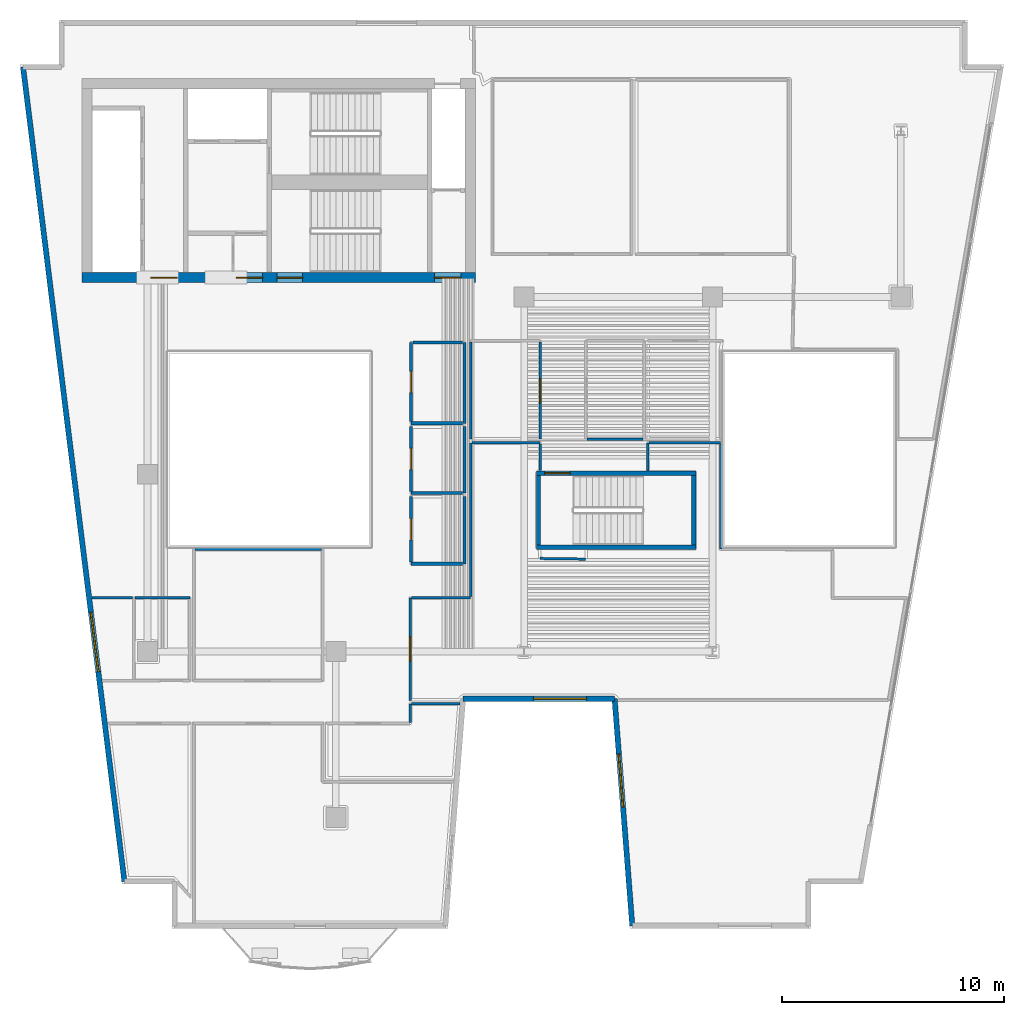
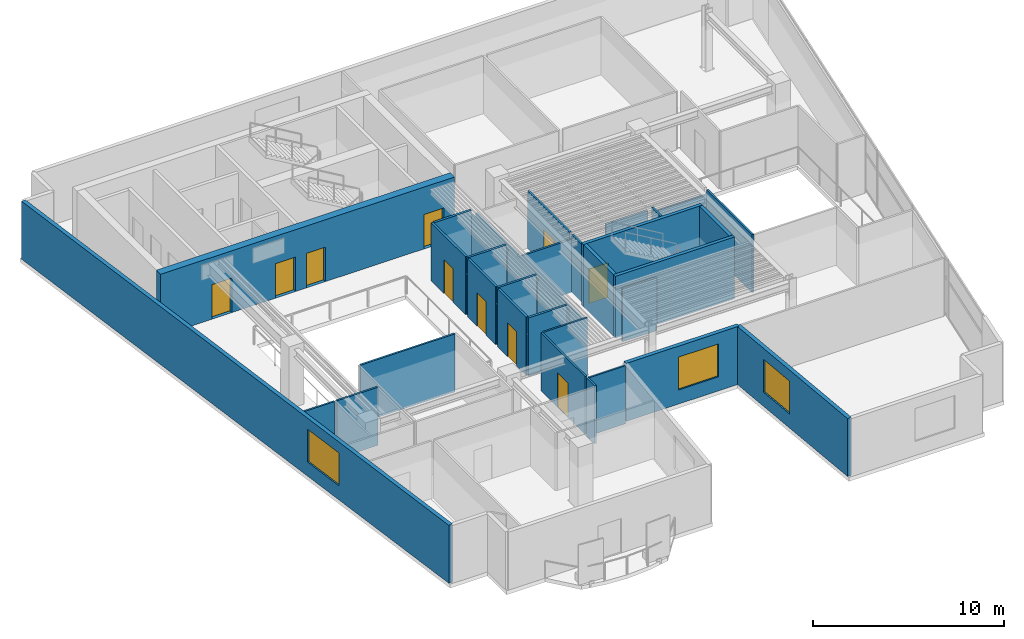
# One storey, part 4 of 9: 35 walls, 10 doors, 3 windows, 13 openings.
"""IFC4 building model written with IfcOpenShell, lengths in metres."""

from ifc_helpers import new_model, si_unit, direction, frame, frame_2d, origin, place, context, subcontext, project, spatial, rectangle, extrude, material, layer, layer_set, type_object, element, fill, save


model = new_model("IFC4")

# Units and contexts
model_context = context("Model", 3, precision=1e-05, world=origin(), true_north=direction((0.0, 1.0)))
body_context = subcontext(model_context, "Body", "Model", "MODEL_VIEW")
ifc_project = project(units=[si_unit("LENGTHUNIT", "METRE"), si_unit("AREAUNIT", "SQUARE_METRE"), si_unit("VOLUMEUNIT", "CUBIC_METRE"), si_unit("PLANEANGLEUNIT", "RADIAN"), si_unit("MASSUNIT", "GRAM", prefix="KILO")], contexts=[model_context])

# Site, building, storey
site_placement = place(None, origin())
site = spatial("IfcSite", under=ifc_project, at=site_placement, CompositionType="ELEMENT")
building_placement = place(site_placement, origin())
building = spatial("IfcBuilding", under=site, at=building_placement, Name="Caeloran Harvest Quay", CompositionType="ELEMENT")
storey_placement = place(building_placement, frame((0.0, 0.0, 227.199951171875)))
storey = spatial("IfcBuildingStorey", under=building, at=storey_placement, Name="L54", CompositionType="ELEMENT", Elevation=227.199951171875)

# Wall, opening, window
ifc_material_1 = material(Name="Precast concrete C50/60", Category="concrete")
ifc_layer_1 = layer(ifc_material_1, 0.239990234375, Name="Precast concrete C50/60")
ifc_layer_set_1 = layer_set([ifc_layer_1], Name="Precast concrete C50/60")
wall_type_1 = type_object("IfcWallType", Name="ENV-WALL-EW-240", PredefinedType="STANDARD", material=ifc_layer_set_1)
wall_1_placement = place(storey_placement, frame((7.460205078125, 4.6201171875, 0.0), z_axis=(0.0, 0.0, 1.0), x_axis=(-0.123515576323, 0.992342633573, 0.0)))
wall_1 = element("IfcWall", 1, at=wall_1_placement, inside=storey, type_object=wall_type_1, Name="L54 Exterior Precast Concrete Facade Wall 3", PredefinedType="STANDARD", context=body_context, shape_type="SweptSolid", body=[
    extrude(rectangle(XDim=37.04345703125, YDim=0.239990234375, at=frame_2d((18.521728515625, 0.0))), origin(), (0.0, 0.0, 1.0), 3.699951171875),
])
opening_1_placement = place(wall_1_placement, frame((9.535888671875, 0.0, 0.89990234375)))
opening_1 = element("IfcOpeningElement", 2, at=opening_1_placement, cuts=wall_1, Name="Opening W-07", PredefinedType="OPENING", context=body_context, shape_type="SweptSolid", body=[
    extrude(rectangle(XDim=2.699951171875, YDim=2.10009765625, at=frame_2d((1.35009765625, 1.050048828125))), frame((0.0, 0.1298828125, 0.0), z_axis=(0.0, -1.0, 0.0), x_axis=(1.0, 0.0, 0.0)), (0.0, 0.0, 1.0), 0.260009765625),
])
ifc_material_2 = material(Name="Aluminium-Framed Low-E Laminated Glass", Category="aluminium")
window_type_1 = type_object("IfcWindowType", Name="WIN-W-07", PartitioningType="DOUBLE_PANEL_VERTICAL", PredefinedType="WINDOW", material=ifc_material_2)
window_1_placement = place(opening_1_placement, origin())
window_1 = element("IfcWindow", 3, at=window_1_placement, inside=storey, type_object=window_type_1, Name="L54 Facade Punched Window W-07", OverallHeight=2.10009765625, OverallWidth=2.699951171875, PartitioningType="DOUBLE_PANEL_VERTICAL", PredefinedType="WINDOW", context=body_context, shape_type="SweptSolid", body=[
    extrude(rectangle(XDim=2.699951171875, YDim=2.10009765625, at=frame_2d((1.35009765625, 1.050048828125))), frame((0.0, 0.030029296875, 0.0), z_axis=(0.0, -1.0, 0.0), x_axis=(1.0, 0.0, 0.0)), (0.0, 0.0, 1.0), 0.06005859375),
])
fill(opening_1, window_1)

wall_2_placement = place(storey_placement, frame((30.380615234375, 2.6201171875, 0.0), z_axis=(0.0, 0.0, 1.0), x_axis=(-0.077816860153, 0.996967670627, 0.0)))
wall_2 = element("IfcWall", 4, at=wall_2_placement, inside=storey, type_object=wall_type_1, Name="L54 Exterior Precast Concrete Facade Wall 13", PredefinedType="STANDARD", context=body_context, shape_type="SweptSolid", body=[
    extrude(rectangle(XDim=10.28125, YDim=0.239990234375, at=frame_2d((5.140625, 0.0))), origin(), (0.0, 0.0, 1.0), 3.699951171875),
])
opening_2_placement = place(wall_2_placement, frame((5.3798828125, 0.0, 0.89990234375)))
opening_2 = element("IfcOpeningElement", 5, at=opening_2_placement, cuts=wall_2, Name="Opening W-02", PredefinedType="OPENING", context=body_context, shape_type="SweptSolid", body=[
    extrude(rectangle(XDim=2.39990234375, YDim=2.10009765625, at=frame_2d((1.199951171875, 1.050048828125))), frame((0.0, 0.1298828125, 0.0), z_axis=(0.0, -1.0, 0.0), x_axis=(1.0, 0.0, 0.0)), (0.0, 0.0, 1.0), 0.260009765625),
])
window_type_2 = type_object("IfcWindowType", Name="WIN-W-02", PartitioningType="DOUBLE_PANEL_VERTICAL", PredefinedType="WINDOW", material=ifc_material_2)
window_2_placement = place(opening_2_placement, origin())
window_2 = element("IfcWindow", 6, at=window_2_placement, inside=storey, type_object=window_type_2, Name="L54 Facade Punched Window W-02", OverallHeight=2.10009765625, OverallWidth=2.39990234375, PartitioningType="DOUBLE_PANEL_VERTICAL", PredefinedType="WINDOW", context=body_context, shape_type="SweptSolid", body=[
    extrude(rectangle(XDim=2.39990234375, YDim=2.10009765625, at=frame_2d((1.199951171875, 1.050048828125))), frame((0.0, 0.030029296875, 0.0), z_axis=(0.0, -1.0, 0.0), x_axis=(1.0, 0.0, 0.0)), (0.0, 0.0, 1.0), 0.06005859375),
])
fill(opening_2, window_2)

wall_3_placement = place(storey_placement, frame((29.58056640625, 12.8701171875, 0.0), z_axis=(0.0, 0.0, 1.0), x_axis=(-1.0, 0.0, 0.0)))
wall_3 = element("IfcWall", 7, at=wall_3_placement, inside=storey, type_object=wall_type_1, Name="L54 Exterior Precast Concrete Facade Wall 14", PredefinedType="STANDARD", context=body_context, shape_type="SweptSolid", body=[
    extrude(rectangle(XDim=6.83447265625, YDim=0.239990234375, at=frame_2d((3.417236328125, 0.0))), origin(), (0.0, 0.0, 1.0), 3.699951171875),
])
opening_3_placement = place(wall_3_placement, frame((1.260009765625, 0.0, 0.89990234375)))
opening_3 = element("IfcOpeningElement", 8, at=opening_3_placement, cuts=wall_3, Name="Opening W-02", PredefinedType="OPENING", context=body_context, shape_type="SweptSolid", body=[
    extrude(rectangle(XDim=2.39990234375, YDim=2.10009765625, at=frame_2d((1.199951171875, 1.050048828125))), frame((0.0, 0.1298828125, 0.0), z_axis=(0.0, -1.0, 0.0), x_axis=(1.0, 0.0, 0.0)), (0.0, 0.0, 1.0), 0.260009765625),
])
window_3_placement = place(opening_3_placement, origin())
window_3 = element("IfcWindow", 9, at=window_3_placement, inside=storey, type_object=window_type_2, Name="L54 Facade Punched Window W-02", OverallHeight=2.10009765625, OverallWidth=2.39990234375, PartitioningType="DOUBLE_PANEL_VERTICAL", PredefinedType="WINDOW", context=body_context, shape_type="SweptSolid", body=[
    extrude(rectangle(XDim=2.39990234375, YDim=2.10009765625, at=frame_2d((1.199951171875, 1.050048828125))), frame((0.0, 0.030029296875, 0.0), z_axis=(0.0, -1.0, 0.0), x_axis=(1.0, 0.0, 0.0)), (0.0, 0.0, 1.0), 0.06005859375),
])
fill(opening_3, window_3)

# Walls
ifc_material_3 = material(Name="Single-Stud Acoustic Gypsum Office Partition", Category="gypsum")
ifc_layer_2 = layer(ifc_material_3, 0.112060546875, Name="Single-Stud Acoustic Gypsum Office Partition")
ifc_layer_set_2 = layer_set([ifc_layer_2], Name="Single-Stud Acoustic Gypsum Office Partition")
wall_type_2 = type_object("IfcWallType", Name="INT-WALL-PW-112", PredefinedType="PARTITIONING", material=ifc_layer_set_2)
wall_4_placement = place(storey_placement, frame((20.35009765625, 11.800048828125, 0.0), z_axis=(0.0, 0.0, 1.0), x_axis=(0.0, 1.0, 0.0)))
element("IfcWall", 10, at=wall_4_placement, inside=storey, type_object=wall_type_2, Name="Due-Diligence Meeting Hall Partition Wall", PredefinedType="PARTITIONING", context=body_context, shape_type="SweptSolid", body=[
    extrude(rectangle(XDim=0.83984375, YDim=0.112060546875, at=frame_2d((0.419921875, 0.0))), origin(), (0.0, 0.0, 1.0), 3.699951171875),
])
wall_5_placement = place(storey_placement, frame((20.410888671875, 12.639892578125, 0.0), z_axis=(0.0, 0.0, 1.0), x_axis=(1.0, 0.0, 0.0)))
element("IfcWall", 11, at=wall_5_placement, inside=storey, type_object=wall_type_2, Name="Due-Diligence Meeting Hall Partition Wall", PredefinedType="PARTITIONING", context=body_context, shape_type="SweptSolid", body=[
    extrude(rectangle(XDim=2.19189453125, YDim=0.112060546875, at=frame_2d((1.095947265625, 0.0))), origin(), (0.0, 0.0, 1.0), 3.699951171875),
])
wall_6_placement = place(storey_placement, frame((5.992919921875, 17.419921875, 0.0), z_axis=(0.0, 0.0, 1.0), x_axis=(1.0, 0.0, 0.0)))
element("IfcWall", 12, at=wall_6_placement, inside=storey, type_object=wall_type_2, Name="General Partner Corner Office Partition Wall", PredefinedType="PARTITIONING", context=body_context, shape_type="SweptSolid", body=[
    extrude(rectangle(XDim=1.826171875, YDim=0.112060546875, at=frame_2d((0.9130859375, 0.0))), origin(), (0.0, 0.0, 1.0), 3.699951171875),
])
wall_7_placement = place(storey_placement, frame((7.94091796875, 17.419921875, 0.0), z_axis=(0.0, 0.0, 1.0), x_axis=(1.0, 0.0, 0.0)))
element("IfcWall", 13, at=wall_7_placement, inside=storey, type_object=wall_type_2, Name="General Partner Corner Office Partition Wall", PredefinedType="PARTITIONING", context=body_context, shape_type="SweptSolid", body=[
    extrude(rectangle(XDim=2.47900390625, YDim=0.112060546875, at=frame_2d((1.239501953125, 0.0))), origin(), (0.0, 0.0, 1.0), 3.699951171875),
])
wall_8_placement = place(storey_placement, frame((10.64111328125, 19.6201171875, 0.0), z_axis=(0.0, 0.0, 1.0), x_axis=(1.0, 0.0, 0.0)))
element("IfcWall", 14, at=wall_8_placement, inside=storey, type_object=wall_type_2, Name="Board Conference Room Partition Wall", PredefinedType="PARTITIONING", context=body_context, shape_type="SweptSolid", body=[
    extrude(rectangle(XDim=5.7177734375, YDim=0.112060546875, at=frame_2d((2.85888671875, 0.0))), origin(), (0.0, 0.0, 1.0), 3.699951171875),
])
wall_9_placement = place(storey_placement, frame((31.080078125, 23.155029296875, 0.0), z_axis=(0.0, 0.0, 1.0), x_axis=(0.0, 1.0, 0.0)))
element("IfcWall", 15, at=wall_9_placement, inside=storey, type_object=wall_type_2, Name="Founder Fireside Salon Lounge Partition Wall", PredefinedType="PARTITIONING", context=body_context, shape_type="SweptSolid", body=[
    extrude(rectangle(XDim=1.264892578125, YDim=0.112060546875, at=frame_2d((0.63232421875, 0.0))), origin(), (0.0, 0.0, 1.0), 3.699951171875),
])
wall_10_placement = place(storey_placement, frame((31.14111328125, 24.419921875, 0.0), z_axis=(0.0, 0.0, 1.0), x_axis=(1.0, 0.0, 0.0)))
element("IfcWall", 16, at=wall_10_placement, inside=storey, type_object=wall_type_2, Name="Founder Fireside Salon Lounge Partition Wall", PredefinedType="PARTITIONING", context=body_context, shape_type="SweptSolid", body=[
    extrude(rectangle(XDim=3.22900390625, YDim=0.112060546875, at=frame_2d((1.614501953125, 0.0))), origin(), (0.0, 0.0, 1.0), 3.385009765625),
])
wall_11_placement = place(storey_placement, frame((34.3701171875, 24.35888671875, 0.0), z_axis=(0.0, 0.0, 1.0), x_axis=(0.0, -1.0, 0.0)))
element("IfcWall", 17, at=wall_11_placement, inside=storey, type_object=wall_type_2, Name="Founder Fireside Salon Lounge Partition Wall", PredefinedType="PARTITIONING", context=body_context, shape_type="SweptSolid", body=[
    extrude(rectangle(XDim=4.73876953125, YDim=0.112060546875, at=frame_2d((2.369384765625, 0.0))), origin(), (0.0, 0.0, 1.0), 3.699951171875),
])

# Wall, opening, door
wall_12_placement = place(storey_placement, frame((20.35009765625, 12.800048828125, 0.0), z_axis=(0.0, 0.0, 1.0), x_axis=(0.0, 1.0, 0.0)))
wall_12 = element("IfcWall", 18, at=wall_12_placement, inside=storey, type_object=wall_type_2, Name="Founder Fireside Salon Lounge Partition Wall", PredefinedType="PARTITIONING", context=body_context, shape_type="SweptSolid", body=[
    extrude(rectangle(XDim=4.619873046875, YDim=0.112060546875, at=frame_2d((2.31005859375, 0.0))), origin(), (0.0, 0.0, 1.0), 3.699951171875),
])
opening_4_placement = place(wall_12_placement, frame((1.760009765625, 0.0, 0.0)))
opening_4 = element("IfcOpeningElement", 19, at=opening_4_placement, cuts=wall_12, Name="Opening ID-04", PredefinedType="OPENING", context=body_context, shape_type="SweptSolid", body=[
    extrude(rectangle(XDim=1.10009765625, YDim=2.199951171875, at=frame_2d((0.550048828125, 1.10009765625))), frame((0.0, 0.06591796875, 0.0), z_axis=(0.0, -1.0, 0.0), x_axis=(1.0, 0.0, 0.0)), (0.0, 0.0, 1.0), 0.132080078125),
])
ifc_material_4 = material(Name="Acoustic Walnut Veneer Executive Door", Category="wood")
door_type_1 = type_object("IfcDoorType", Name="INTDOOR-ID-04", OperationType="NOTDEFINED", PredefinedType="DOOR", material=ifc_material_4)
door_1_placement = place(opening_4_placement, origin())
door_1 = element("IfcDoor", 20, at=door_1_placement, inside=storey, type_object=door_type_1, Name="Founder Fireside Salon Lounge Access Door", OperationType="SINGLE_SWING_RIGHT", OverallHeight=2.199951171875, OverallWidth=1.10009765625, PredefinedType="DOOR", context=body_context, shape_type="SweptSolid", body=[
    extrude(rectangle(XDim=1.10009765625, YDim=2.199951171875, at=frame_2d((0.550048828125, 1.10009765625))), frame((0.0, 0.02490234375, 0.0), z_axis=(0.0, -1.0, 0.0), x_axis=(1.0, 0.0, 0.0)), (0.0, 0.0, 1.0), 0.050048828125),
])
fill(opening_4, door_1)

# Walls
wall_13_placement = place(storey_placement, frame((20.410888671875, 17.419921875, 0.0), z_axis=(0.0, 0.0, 1.0), x_axis=(1.0, 0.0, 0.0)))
element("IfcWall", 21, at=wall_13_placement, inside=storey, type_object=wall_type_2, Name="Founder Fireside Salon Lounge Partition Wall", PredefinedType="PARTITIONING", context=body_context, shape_type="SweptSolid", body=[
    extrude(rectangle(XDim=2.669189453125, YDim=0.112060546875, at=frame_2d((1.33447265625, 0.0))), origin(), (0.0, 0.0, 1.0), 3.699951171875),
])
wall_14_placement = place(storey_placement, frame((23.080078125, 17.48095703125, 0.0), z_axis=(0.0, 0.0, 1.0), x_axis=(0.0, 1.0, 0.0)))
element("IfcWall", 22, at=wall_14_placement, inside=storey, type_object=wall_type_2, Name="Founder Fireside Salon Lounge Partition Wall", PredefinedType="PARTITIONING", context=body_context, shape_type="SweptSolid", body=[
    extrude(rectangle(XDim=6.93896484375, YDim=0.112060546875, at=frame_2d((3.469482421875, 0.0))), origin(), (0.0, 0.0, 1.0), 3.385009765625),
])
wall_15_placement = place(storey_placement, frame((23.14111328125, 24.419921875, 0.0), z_axis=(0.0, 0.0, 1.0), x_axis=(1.0, 0.0, 0.0)))
element("IfcWall", 23, at=wall_15_placement, inside=storey, type_object=wall_type_2, Name="Founder Fireside Salon Lounge Partition Wall", PredefinedType="PARTITIONING", context=body_context, shape_type="SweptSolid", body=[
    extrude(rectangle(XDim=3.078857421875, YDim=0.112060546875, at=frame_2d((1.53955078125, 0.0))), origin(), (0.0, 0.0, 1.0), 3.385009765625),
])
wall_16_placement = place(storey_placement, frame((26.219970703125, 24.35888671875, 0.0), z_axis=(0.0, 0.0, 1.0), x_axis=(0.0, -1.0, 0.0)))
element("IfcWall", 24, at=wall_16_placement, inside=storey, type_object=wall_type_2, Name="Founder Fireside Salon Lounge Partition Wall", PredefinedType="PARTITIONING", context=body_context, shape_type="SweptSolid", body=[
    extrude(rectangle(XDim=1.19384765625, YDim=0.112060546875, at=frame_2d((0.596923828125, 0.0))), origin(), (0.0, 0.0, 1.0), 3.699951171875),
])
wall_17_placement = place(storey_placement, frame((26.219970703125, 19.199951171875, 0.0), z_axis=(0.0, 0.0, 1.0), x_axis=(0.999893773718, -0.014575365509, 0.0)))
element("IfcWall", 25, at=wall_17_placement, inside=storey, type_object=wall_type_2, Name="Founder Fireside Salon Lounge Partition Wall", PredefinedType="PARTITIONING", context=body_context, shape_type="SweptSolid", body=[
    extrude(rectangle(XDim=2.060302734375, YDim=0.112060546875, at=frame_2d((1.0302734375, 0.0))), origin(), (0.0, 0.0, 1.0), 3.385009765625),
])

# Wall, opening, door
wall_18_placement = place(storey_placement, frame((26.219970703125, 28.958984375, 0.0), z_axis=(0.0, 0.0, 1.0), x_axis=(0.0, -1.0, 0.0)))
wall_18 = element("IfcWall", 26, at=wall_18_placement, inside=storey, type_object=wall_type_2, Name="Refreshment Dining Kitchen Partition Wall", PredefinedType="PARTITIONING", context=body_context, shape_type="SweptSolid", body=[
    extrude(rectangle(XDim=4.37890625, YDim=0.112060546875, at=frame_2d((2.189453125, 0.0))), origin(), (0.0, 0.0, 1.0), 3.699951171875),
])
opening_5_placement = place(wall_18_placement, frame((1.639404296875, 0.0, 0.0)))
opening_5 = element("IfcOpeningElement", 27, at=opening_5_placement, cuts=wall_18, Name="Opening ID-04", PredefinedType="OPENING", context=body_context, shape_type="SweptSolid", body=[
    extrude(rectangle(XDim=1.10009765625, YDim=2.199951171875, at=frame_2d((0.550048828125, 1.10009765625))), frame((0.0, 0.06591796875, 0.0), z_axis=(0.0, -1.0, 0.0), x_axis=(1.0, 0.0, 0.0)), (0.0, 0.0, 1.0), 0.132080078125),
])
door_2_placement = place(opening_5_placement, origin())
door_2 = element("IfcDoor", 28, at=door_2_placement, inside=storey, type_object=door_type_1, Name="Refreshment Dining Kitchen Access Door", OperationType="SINGLE_SWING_LEFT", OverallHeight=2.199951171875, OverallWidth=1.10009765625, PredefinedType="DOOR", context=body_context, shape_type="SweptSolid", body=[
    extrude(rectangle(XDim=1.10009765625, YDim=2.199951171875, at=frame_2d((0.550048828125, 1.10009765625))), frame((0.0, 0.02490234375, 0.0), z_axis=(0.0, -1.0, 0.0), x_axis=(1.0, 0.0, 0.0)), (0.0, 0.0, 1.0), 0.050048828125),
])
fill(opening_5, door_2)

# Walls
wall_19_placement = place(storey_placement, frame((23.080078125, 24.580078125, 0.0), z_axis=(0.0, 0.0, 1.0), x_axis=(0.0, 1.0, 0.0)))
element("IfcWall", 29, at=wall_19_placement, inside=storey, type_object=wall_type_2, Name="Refreshment Dining Kitchen Partition Wall", PredefinedType="PARTITIONING", context=body_context, shape_type="SweptSolid", body=[
    extrude(rectangle(XDim=4.37890625, YDim=0.112060546875, at=frame_2d((2.189453125, 0.0))), origin(), (0.0, 0.0, 1.0), 3.385009765625),
])
wall_20_placement = place(storey_placement, frame((30.85888671875, 24.580078125, 0.0), z_axis=(0.0, 0.0, 1.0), x_axis=(-1.0, 0.0, 0.0)))
element("IfcWall", 30, at=wall_20_placement, inside=storey, type_object=wall_type_2, Name="Secure Vault Laboratory Partition Wall", PredefinedType="PARTITIONING", context=body_context, shape_type="SweptSolid", body=[
    extrude(rectangle(XDim=2.517822265625, YDim=0.112060546875, at=frame_2d((1.2587890625, 0.0))), origin(), (0.0, 0.0, 1.0), 3.485107421875),
])
ifc_material_5 = material(Name="Moisture-Resistant Cement-Board Sanitary Partition", Category="gypsum")
ifc_layer_3 = layer(ifc_material_5, 0.139892578125, Name="Moisture-Resistant Cement-Board Sanitary Partition")
ifc_layer_set_3 = layer_set([ifc_layer_3], Name="Moisture-Resistant Cement-Board Sanitary Partition")
wall_type_3 = type_object("IfcWallType", Name="INT-WALL-PW-140", PredefinedType="PARTITIONING", material=ifc_layer_set_3)
wall_21_placement = place(storey_placement, frame((22.800048828125, 28.949951171875, 0.0), z_axis=(0.0, 0.0, 1.0), x_axis=(0.0, -1.0, 0.0)))
element("IfcWall", 31, at=wall_21_placement, inside=storey, type_object=wall_type_3, Name="L54 Male Washroom WC Partition Wall", PredefinedType="PARTITIONING", context=body_context, shape_type="SweptSolid", body=[
    extrude(rectangle(XDim=3.64990234375, YDim=0.139892578125, at=frame_2d((1.824951171875, 0.0))), origin(), (0.0, 0.0, 1.0), 3.385009765625),
])
wall_22_placement = place(storey_placement, frame((22.72509765625, 25.300048828125, 0.0), z_axis=(0.0, 0.0, 1.0), x_axis=(-1.0, 0.0, 0.0)))
element("IfcWall", 32, at=wall_22_placement, inside=storey, type_object=wall_type_3, Name="L54 Male Washroom WC Partition Wall", PredefinedType="PARTITIONING", context=body_context, shape_type="SweptSolid", body=[
    extrude(rectangle(XDim=2.3251953125, YDim=0.139892578125, at=frame_2d((1.16259765625, 0.0))), origin(), (0.0, 0.0, 1.0), 3.699951171875),
])

# Wall, opening, door
wall_23_placement = place(storey_placement, frame((20.39990234375, 25.375, 0.0), z_axis=(0.0, 0.0, 1.0), x_axis=(0.0, 1.0, 0.0)))
wall_23 = element("IfcWall", 33, at=wall_23_placement, inside=storey, type_object=wall_type_3, Name="L54 Male Washroom WC Partition Wall", PredefinedType="PARTITIONING", context=body_context, shape_type="SweptSolid", body=[
    extrude(rectangle(XDim=3.574951171875, YDim=0.139892578125, at=frame_2d((1.78759765625, 0.0))), origin(), (0.0, 0.0, 1.0), 3.699951171875),
])
opening_6_placement = place(wall_23_placement, frame((1.3125, 0.0, 0.0)))
opening_6 = element("IfcOpeningElement", 34, at=opening_6_placement, cuts=wall_23, Name="Opening WC-01", PredefinedType="OPENING", context=body_context, shape_type="SweptSolid", body=[
    extrude(rectangle(XDim=0.949951171875, YDim=2.14990234375, at=frame_2d((0.47509765625, 1.074951171875))), frame((0.0, 0.080078125, 0.0), z_axis=(0.0, -1.0, 0.0), x_axis=(1.0, 0.0, 0.0)), (0.0, 0.0, 1.0), 0.159912109375),
])
ifc_material_6 = material(Name="High-Pressure Laminate Moisture-Resistant Timber", Category="wood")
door_type_2 = type_object("IfcDoorType", Name="INTDOOR-WC-01", OperationType="NOTDEFINED", PredefinedType="DOOR", material=ifc_material_6)
door_3_placement = place(opening_6_placement, origin())
door_3 = element("IfcDoor", 35, at=door_3_placement, inside=storey, type_object=door_type_2, Name="L54 Male Washroom WC Access Door", OperationType="SINGLE_SWING_LEFT", OverallHeight=2.14990234375, OverallWidth=0.949951171875, PredefinedType="DOOR", context=body_context, shape_type="SweptSolid", body=[
    extrude(rectangle(XDim=0.949951171875, YDim=2.14990234375, at=frame_2d((0.47509765625, 1.074951171875))), frame((0.0, 0.02490234375, 0.0), z_axis=(0.0, -1.0, 0.0), x_axis=(1.0, 0.0, 0.0)), (0.0, 0.0, 1.0), 0.050048828125),
])
fill(opening_6, door_3)

# Walls
wall_24_placement = place(storey_placement, frame((20.47509765625, 28.949951171875, 0.0), z_axis=(0.0, 0.0, 1.0), x_axis=(1.0, 0.0, 0.0)))
element("IfcWall", 36, at=wall_24_placement, inside=storey, type_object=wall_type_3, Name="L54 Male Washroom WC Partition Wall", PredefinedType="PARTITIONING", context=body_context, shape_type="SweptSolid", body=[
    extrude(rectangle(XDim=2.25, YDim=0.139892578125, at=frame_2d((1.125, 0.0))), origin(), (0.0, 0.0, 1.0), 3.699951171875),
])
wall_25_placement = place(storey_placement, frame((22.800048828125, 25.14990234375, 0.0), z_axis=(0.0, 0.0, 1.0), x_axis=(0.0, -1.0, 0.0)))
element("IfcWall", 37, at=wall_25_placement, inside=storey, type_object=wall_type_3, Name="L54 Female Washroom WC Partition Wall", PredefinedType="PARTITIONING", context=body_context, shape_type="SweptSolid", body=[
    extrude(rectangle(XDim=3.0, YDim=0.139892578125, at=frame_2d((1.5, 0.0))), origin(), (0.0, 0.0, 1.0), 3.385009765625),
])
wall_26_placement = place(storey_placement, frame((22.72509765625, 22.14990234375, 0.0), z_axis=(0.0, 0.0, 1.0), x_axis=(-1.0, 0.0, 0.0)))
element("IfcWall", 38, at=wall_26_placement, inside=storey, type_object=wall_type_3, Name="L54 Female Washroom WC Partition Wall", PredefinedType="PARTITIONING", context=body_context, shape_type="SweptSolid", body=[
    extrude(rectangle(XDim=2.3251953125, YDim=0.139892578125, at=frame_2d((1.16259765625, 0.0))), origin(), (0.0, 0.0, 1.0), 3.699951171875),
])

# Wall, opening, door
wall_27_placement = place(storey_placement, frame((20.39990234375, 22.22509765625, 0.0), z_axis=(0.0, 0.0, 1.0), x_axis=(0.0, 1.0, 0.0)))
wall_27 = element("IfcWall", 39, at=wall_27_placement, inside=storey, type_object=wall_type_3, Name="L54 Female Washroom WC Partition Wall", PredefinedType="PARTITIONING", context=body_context, shape_type="SweptSolid", body=[
    extrude(rectangle(XDim=2.9248046875, YDim=0.139892578125, at=frame_2d((1.46240234375, 0.0))), origin(), (0.0, 0.0, 1.0), 3.699951171875),
])
opening_7_placement = place(wall_27_placement, frame((0.987548828125, 0.0, 0.0)))
opening_7 = element("IfcOpeningElement", 40, at=opening_7_placement, cuts=wall_27, Name="Opening WC-01", PredefinedType="OPENING", context=body_context, shape_type="SweptSolid", body=[
    extrude(rectangle(XDim=0.949951171875, YDim=2.14990234375, at=frame_2d((0.47509765625, 1.074951171875))), frame((0.0, 0.080078125, 0.0), z_axis=(0.0, -1.0, 0.0), x_axis=(1.0, 0.0, 0.0)), (0.0, 0.0, 1.0), 0.159912109375),
])
door_4_placement = place(opening_7_placement, origin())
door_4 = element("IfcDoor", 41, at=door_4_placement, inside=storey, type_object=door_type_2, Name="L54 Female Washroom WC Access Door", OperationType="SINGLE_SWING_RIGHT", OverallHeight=2.14990234375, OverallWidth=0.949951171875, PredefinedType="DOOR", context=body_context, shape_type="SweptSolid", body=[
    extrude(rectangle(XDim=0.949951171875, YDim=2.14990234375, at=frame_2d((0.47509765625, 1.074951171875))), frame((0.0, 0.02490234375, 0.0), z_axis=(0.0, -1.0, 0.0), x_axis=(1.0, 0.0, 0.0)), (0.0, 0.0, 1.0), 0.050048828125),
])
fill(opening_7, door_4)

# Walls
wall_28_placement = place(storey_placement, frame((22.800048828125, 22.0, 0.0), z_axis=(0.0, 0.0, 1.0), x_axis=(0.0, -1.0, 0.0)))
element("IfcWall", 42, at=wall_28_placement, inside=storey, type_object=wall_type_3, Name="L54 Accessible Unisex Washroom WC Partition Wall", PredefinedType="PARTITIONING", context=body_context, shape_type="SweptSolid", body=[
    extrude(rectangle(XDim=3.0400390625, YDim=0.139892578125, at=frame_2d((1.52001953125, 0.0))), origin(), (0.0, 0.0, 1.0), 3.385009765625),
])
wall_29_placement = place(storey_placement, frame((22.72509765625, 18.9599609375, 0.0), z_axis=(0.0, 0.0, 1.0), x_axis=(-1.0, 0.0, 0.0)))
element("IfcWall", 43, at=wall_29_placement, inside=storey, type_object=wall_type_3, Name="L54 Accessible Unisex Washroom WC Partition Wall", PredefinedType="PARTITIONING", context=body_context, shape_type="SweptSolid", body=[
    extrude(rectangle(XDim=2.3251953125, YDim=0.139892578125, at=frame_2d((1.16259765625, 0.0))), origin(), (0.0, 0.0, 1.0), 3.699951171875),
])

# Wall, opening, door
wall_30_placement = place(storey_placement, frame((20.39990234375, 19.034912109375, 0.0), z_axis=(0.0, 0.0, 1.0), x_axis=(0.0, 1.0, 0.0)))
wall_30 = element("IfcWall", 44, at=wall_30_placement, inside=storey, type_object=wall_type_3, Name="L54 Accessible Unisex Washroom WC Partition Wall", PredefinedType="PARTITIONING", context=body_context, shape_type="SweptSolid", body=[
    extrude(rectangle(XDim=2.965087890625, YDim=0.139892578125, at=frame_2d((1.482421875, 0.0))), origin(), (0.0, 0.0, 1.0), 3.699951171875),
])
opening_8_placement = place(wall_30_placement, frame((1.007568359375, 0.0, 0.0)))
opening_8 = element("IfcOpeningElement", 45, at=opening_8_placement, cuts=wall_30, Name="Opening WC-01", PredefinedType="OPENING", context=body_context, shape_type="SweptSolid", body=[
    extrude(rectangle(XDim=0.949951171875, YDim=2.14990234375, at=frame_2d((0.47509765625, 1.074951171875))), frame((0.0, 0.080078125, 0.0), z_axis=(0.0, -1.0, 0.0), x_axis=(1.0, 0.0, 0.0)), (0.0, 0.0, 1.0), 0.159912109375),
])
door_5_placement = place(opening_8_placement, origin())
door_5 = element("IfcDoor", 46, at=door_5_placement, inside=storey, type_object=door_type_2, Name="L54 Accessible Unisex Washroom WC Access Door", OperationType="SINGLE_SWING_LEFT", OverallHeight=2.14990234375, OverallWidth=0.949951171875, PredefinedType="DOOR", context=body_context, shape_type="SweptSolid", body=[
    extrude(rectangle(XDim=0.949951171875, YDim=2.14990234375, at=frame_2d((0.47509765625, 1.074951171875))), frame((0.0, 0.02490234375, 0.0), z_axis=(0.0, -1.0, 0.0), x_axis=(1.0, 0.0, 0.0)), (0.0, 0.0, 1.0), 0.050048828125),
])
fill(opening_8, door_5)

# Wall, openings, doors
ifc_material_7 = material(Name="Concrete C60/75", Category="concrete")
ifc_layer_4 = layer(ifc_material_7, 0.449951171875, Name="Concrete C60/75")
ifc_layer_set_4 = layer_set([ifc_layer_4], Name="Concrete C60/75")
wall_type_4 = type_object("IfcWallType", Name="STR-WALL-CW-450", PredefinedType="SHEAR", material=ifc_layer_set_4)
wall_31_placement = place(storey_placement, frame((5.550048828125, 31.875, 0.0), z_axis=(0.0, 0.0, 1.0), x_axis=(1.0, 0.0, 0.0)))
wall_31 = element("IfcWall", 47, at=wall_31_placement, inside=storey, type_object=wall_type_4, Name="L54 Rear Core Shear Wall S", PredefinedType="SHEAR", context=body_context, shape_type="SweptSolid", body=[
    extrude(rectangle(XDim=17.75, YDim=0.449951171875, at=frame_2d((8.875, 0.0))), origin(), (0.0, 0.0, 1.0), 3.949951171875),
])
opening_9_placement = place(wall_31_placement, frame((3.10009765625, 0.0, 0.0)))
opening_9 = element("IfcOpeningElement", 48, at=opening_9_placement, cuts=wall_31, Name="Opening FD-01", PredefinedType="OPENING", context=body_context, shape_type="SweptSolid", body=[
    extrude(rectangle(XDim=1.199951171875, YDim=2.199951171875, at=frame_2d((0.60009765625, 1.10009765625))), frame((0.0, 0.23486328125, 0.0), z_axis=(0.0, -1.0, 0.0), x_axis=(1.0, 0.0, 0.0)), (0.0, 0.0, 1.0), 0.469970703125),
])
opening_10_placement = place(wall_31_placement, frame((6.949951171875, 0.0, 0.0)))
opening_10 = element("IfcOpeningElement", 49, at=opening_10_placement, cuts=wall_31, Name="Opening FD-01", PredefinedType="OPENING", context=body_context, shape_type="SweptSolid", body=[
    extrude(rectangle(XDim=1.199951171875, YDim=2.199951171875, at=frame_2d((0.60009765625, 1.10009765625))), frame((0.0, 0.23486328125, 0.0), z_axis=(0.0, -1.0, 0.0), x_axis=(1.0, 0.0, 0.0)), (0.0, 0.0, 1.0), 0.469970703125),
])
opening_11_placement = place(wall_31_placement, frame((8.800048828125, 0.0, 0.0)))
opening_11 = element("IfcOpeningElement", 50, at=opening_11_placement, cuts=wall_31, Name="Opening SD-01", PredefinedType="OPENING", context=body_context, shape_type="SweptSolid", body=[
    extrude(rectangle(XDim=1.14990234375, YDim=2.199951171875, at=frame_2d((0.574951171875, 1.10009765625))), frame((0.0, 0.23486328125, 0.0), z_axis=(0.0, -1.0, 0.0), x_axis=(1.0, 0.0, 0.0)), (0.0, 0.0, 1.0), 0.469970703125),
])
opening_12_placement = place(wall_31_placement, frame((15.89990234375, 0.0, 0.0)))
opening_12 = element("IfcOpeningElement", 51, at=opening_12_placement, cuts=wall_31, Name="Opening FD-01", PredefinedType="OPENING", context=body_context, shape_type="SweptSolid", body=[
    extrude(rectangle(XDim=1.199951171875, YDim=2.199951171875, at=frame_2d((0.60009765625, 1.10009765625))), frame((0.0, 0.23486328125, 0.0), z_axis=(0.0, -1.0, 0.0), x_axis=(1.0, 0.0, 0.0)), (0.0, 0.0, 1.0), 0.469970703125),
])
ifc_material_8 = material(Name="Steel", Category="steel")
door_type_3 = type_object("IfcDoorType", Name="INTDOOR-FD-01", OperationType="NOTDEFINED", PredefinedType="DOOR", material=ifc_material_8)
door_6_placement = place(opening_9_placement, origin())
door_6 = element("IfcDoor", 52, at=door_6_placement, inside=storey, type_object=door_type_3, Name="L54 High-Rise Lift Lobby Fire Door", OperationType="SINGLE_SWING_LEFT", OverallHeight=2.199951171875, OverallWidth=1.199951171875, PredefinedType="DOOR", context=body_context, shape_type="SweptSolid", body=[
    extrude(rectangle(XDim=1.199951171875, YDim=2.199951171875, at=frame_2d((0.60009765625, 1.10009765625))), frame((0.0, 0.02490234375, 0.0), z_axis=(0.0, -1.0, 0.0), x_axis=(1.0, 0.0, 0.0)), (0.0, 0.0, 1.0), 0.050048828125),
])
fill(opening_9, door_6)
door_7_placement = place(opening_10_placement, origin())
door_7 = element("IfcDoor", 53, at=door_7_placement, inside=storey, type_object=door_type_3, Name="L54 Firefighting Lobby Vestibule Fire Door", OperationType="SINGLE_SWING_RIGHT", OverallHeight=2.199951171875, OverallWidth=1.199951171875, PredefinedType="DOOR", context=body_context, shape_type="SweptSolid", body=[
    extrude(rectangle(XDim=1.199951171875, YDim=2.199951171875, at=frame_2d((0.60009765625, 1.10009765625))), frame((0.0, 0.02490234375, 0.0), z_axis=(0.0, -1.0, 0.0), x_axis=(1.0, 0.0, 0.0)), (0.0, 0.0, 1.0), 0.050048828125),
])
fill(opening_10, door_7)
door_8_placement = place(opening_12_placement, origin())
door_8 = element("IfcDoor", 54, at=door_8_placement, inside=storey, type_object=door_type_3, Name="L54 Service Lift Lobby Fire Door", OperationType="SINGLE_SWING_RIGHT", OverallHeight=2.199951171875, OverallWidth=1.199951171875, PredefinedType="DOOR", context=body_context, shape_type="SweptSolid", body=[
    extrude(rectangle(XDim=1.199951171875, YDim=2.199951171875, at=frame_2d((0.60009765625, 1.10009765625))), frame((0.0, 0.02490234375, 0.0), z_axis=(0.0, -1.0, 0.0), x_axis=(1.0, 0.0, 0.0)), (0.0, 0.0, 1.0), 0.050048828125),
])
fill(opening_12, door_8)
door_type_4 = type_object("IfcDoorType", Name="INTDOOR-SD-01", OperationType="NOTDEFINED", PredefinedType="DOOR", material=ifc_material_8)
door_9_placement = place(opening_11_placement, origin())
door_9 = element("IfcDoor", 55, at=door_9_placement, inside=storey, type_object=door_type_4, Name="L54 Protected Stair ST-C2 Exit Door", OperationType="SINGLE_SWING_LEFT", OverallHeight=2.199951171875, OverallWidth=1.14990234375, PredefinedType="DOOR", context=body_context, shape_type="SweptSolid", body=[
    extrude(rectangle(XDim=1.14990234375, YDim=2.199951171875, at=frame_2d((0.574951171875, 1.10009765625))), frame((0.0, 0.02490234375, 0.0), z_axis=(0.0, -1.0, 0.0), x_axis=(1.0, 0.0, 0.0)), (0.0, 0.0, 1.0), 0.050048828125),
])
fill(opening_11, door_9)

# Wall
ifc_layer_5 = layer(ifc_material_7, 0.199951171875, Name="Concrete C60/75")
ifc_layer_set_5 = layer_set([ifc_layer_5], Name="Concrete C60/75")
wall_type_5 = type_object("IfcWallType", Name="STR-WALL-SW-200", PredefinedType="SHEAR", material=ifc_layer_set_5)
wall_32_placement = place(storey_placement, frame((26.050048828125, 19.699951171875, 0.0), z_axis=(0.0, 0.0, 1.0), x_axis=(1.0, 0.0, 0.0)))
element("IfcWall", 56, at=wall_32_placement, inside=storey, type_object=wall_type_5, Name="L54 Stair ST-W1 S RC Shaft Shear Wall", PredefinedType="SHEAR", context=body_context, shape_type="SweptSolid", body=[
    extrude(rectangle(XDim=7.199951171875, YDim=0.199951171875, at=frame_2d((3.60009765625, 0.0))), origin(), (0.0, 0.0, 1.0), 3.949951171875),
])

# Wall, opening, door
wall_33_placement = place(storey_placement, frame((26.050048828125, 23.050048828125, 0.0), z_axis=(0.0, 0.0, 1.0), x_axis=(1.0, 0.0, 0.0)))
wall_33 = element("IfcWall", 57, at=wall_33_placement, inside=storey, type_object=wall_type_5, Name="L54 Stair ST-W1 N RC Shaft Shear Wall", PredefinedType="SHEAR", context=body_context, shape_type="SweptSolid", body=[
    extrude(rectangle(XDim=7.199951171875, YDim=0.199951171875, at=frame_2d((3.60009765625, 0.0))), origin(), (0.0, 0.0, 1.0), 3.949951171875),
])
opening_13_placement = place(wall_33_placement, frame((0.3798828125, 0.0, 0.0)))
opening_13 = element("IfcOpeningElement", 58, at=opening_13_placement, cuts=wall_33, Name="Opening SD-01", PredefinedType="OPENING", context=body_context, shape_type="SweptSolid", body=[
    extrude(rectangle(XDim=1.14990234375, YDim=2.199951171875, at=frame_2d((0.574951171875, 1.10009765625))), frame((0.0, 0.10986328125, 0.0), z_axis=(0.0, -1.0, 0.0), x_axis=(1.0, 0.0, 0.0)), (0.0, 0.0, 1.0), 0.219970703125),
])
door_10_placement = place(opening_13_placement, origin())
door_10 = element("IfcDoor", 59, at=door_10_placement, inside=storey, type_object=door_type_4, Name="L54 Protected Exit Stair ST-W1 Fire Door", OperationType="SINGLE_SWING_RIGHT", OverallHeight=2.199951171875, OverallWidth=1.14990234375, PredefinedType="DOOR", context=body_context, shape_type="SweptSolid", body=[
    extrude(rectangle(XDim=1.14990234375, YDim=2.199951171875, at=frame_2d((0.574951171875, 1.10009765625))), frame((0.0, 0.02490234375, 0.0), z_axis=(0.0, -1.0, 0.0), x_axis=(1.0, 0.0, 0.0)), (0.0, 0.0, 1.0), 0.050048828125),
])
fill(opening_13, door_10)

# Walls
for number, where, z_axis, x_axis, name in (
    (60, (26.14990234375, 19.81005859375, 0.0), (0.0, 0.0, 1.0), (0.0, 1.0, 0.0), "L54 Stair ST-W1 W RC Shaft Shear Wall"),
    (61, (33.14990234375, 19.81005859375, 0.0), (0.0, 0.0, 1.0), (0.0, 1.0, 0.0), "L54 Stair ST-W1 E RC Shaft Shear Wall"),
):
    element("IfcWall", number, at=place(storey_placement, frame(where, z_axis=z_axis, x_axis=x_axis)), inside=storey, type_object=wall_type_5, Name=name, PredefinedType="SHEAR", context=body_context, shape_type="SweptSolid", body=[
        extrude(rectangle(XDim=3.1298828125, YDim=0.199951171875, at=frame_2d((1.56494140625, 0.0))), origin(), (0.0, 0.0, 1.0), 3.949951171875),
    ])

save(model, "model.ifc")
